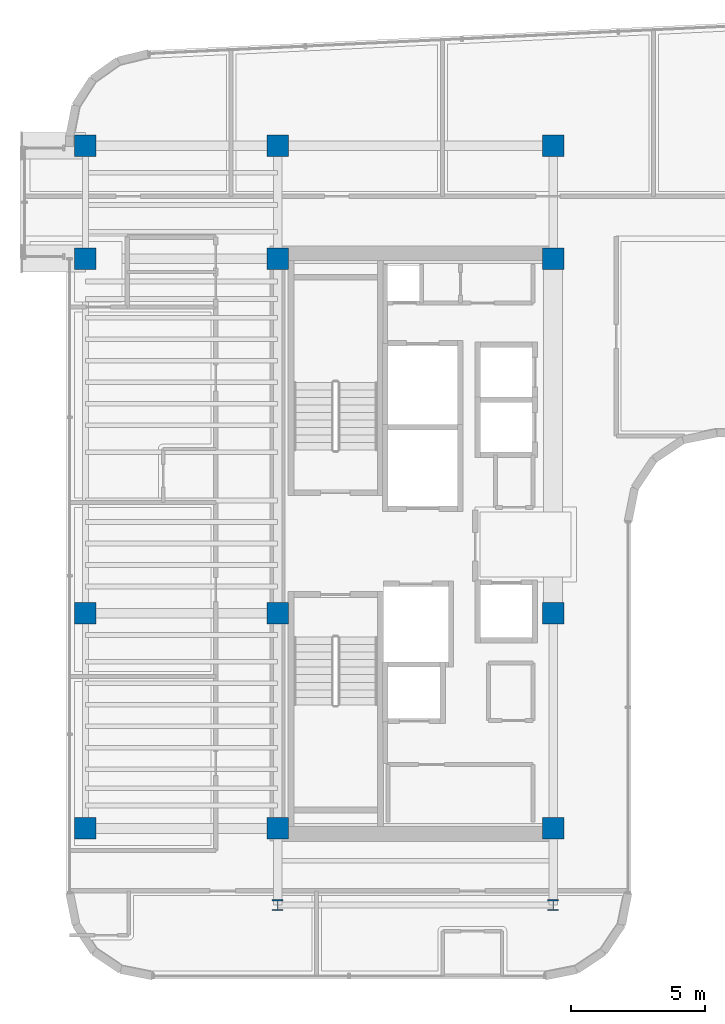
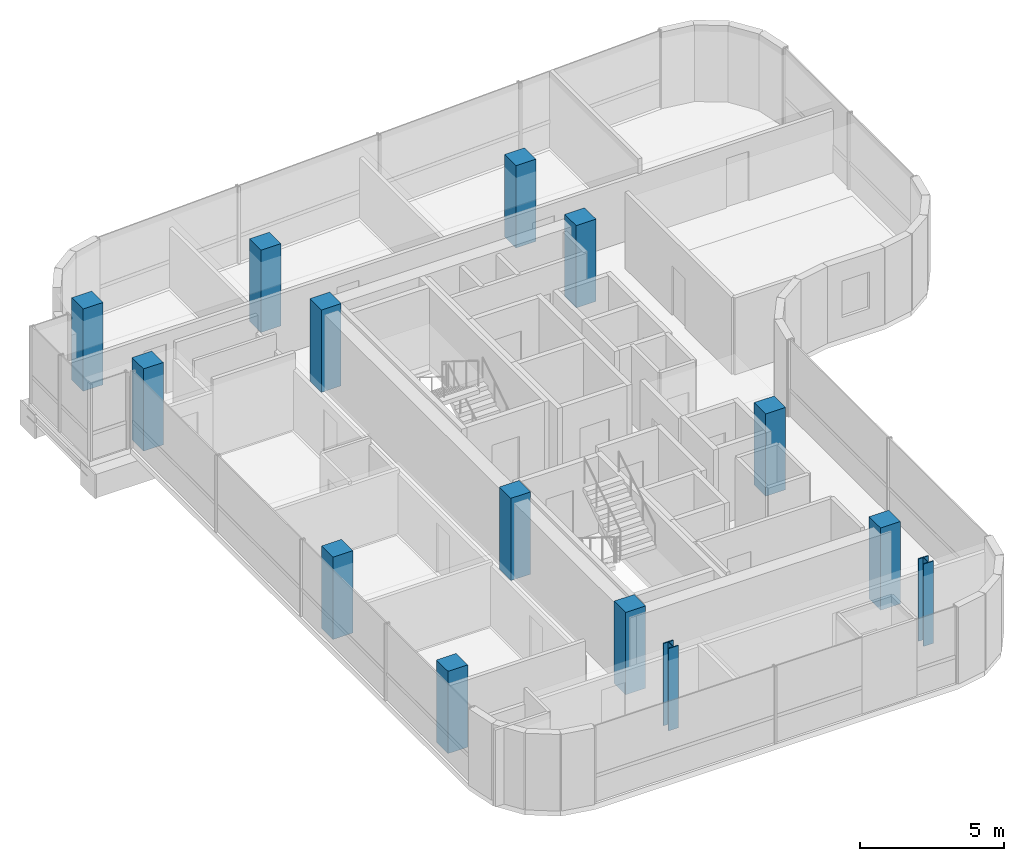
# One storey, part 1 of 21: 14 columns.
"""IFC4 building model written with IfcOpenShell, lengths in metres."""

from ifc_helpers import new_model, si_unit, direction, frame, origin, origin_2d, place, context, subcontext, project, spatial, rectangle, i_section, extrude, source, transform, mapped, material, material_profile, profile_set, type_object, element, save


model = new_model("IFC4")

# Units and contexts
model_context = context("Model", 3, precision=1e-05, world=origin(), true_north=direction((0.0, 1.0)))
body_context = subcontext(model_context, "Body", "Model", "MODEL_VIEW")
ifc_project = project(units=[si_unit("LENGTHUNIT", "METRE"), si_unit("AREAUNIT", "SQUARE_METRE"), si_unit("VOLUMEUNIT", "CUBIC_METRE"), si_unit("PLANEANGLEUNIT", "RADIAN"), si_unit("MASSUNIT", "GRAM", prefix="KILO")], contexts=[model_context])

# Site, building, storey
site_placement = place(None, origin())
site = spatial("IfcSite", under=ifc_project, at=site_placement, CompositionType="ELEMENT")
building_placement = place(site_placement, origin())
building = spatial("IfcBuilding", under=site, at=building_placement, Name="Valdorenza Pilgrim Sanctuary Tower", CompositionType="ELEMENT")
storey_placement = place(building_placement, frame((0.0, 0.0, 254.5)))
storey = spatial("IfcBuildingStorey", under=building, at=storey_placement, Name="L66", CompositionType="ELEMENT", Elevation=254.5)

# Columns
ifc_material_1 = material(Name="Concrete C50/60", Category="concrete")
ifc_material_profile_1 = material_profile(ifc_material_1, rectangle(XDim=0.800048828125, YDim=0.800048828125, at=origin_2d()), Name="RC 800x800")
ifc_profile_set_1 = profile_set([ifc_material_profile_1], Name="Concrete C50/60")
column_type_1 = type_object("IfcColumnType", Name="COL-Z4B-800", PredefinedType="COLUMN", material=ifc_profile_set_1)
shared_shape_1 = source(origin(), body_context, "Body", "SweptSolid", [
    extrude(rectangle(XDim=0.800048828125, YDim=0.800048828125, at=origin_2d()), origin(), (0.0, 0.0, 1.0), 3.5),
])
for number, where, z_axis, x_axis, name in (
    (1, (-29.800048828125, -10.60009765625, 0.0), (0.0, 0.0, 1.0), (1.0, 0.0, 0.0), "L66 Perimeter Column WA-W-S1"),
    (2, (-22.64990234375, -10.60009765625, 0.0), (0.0, 0.0, 1.0), (1.0, 0.0, 0.0), "L66 Column CA-W-S1"),
    (3, (-12.39990234375, -10.60009765625, 0.0), (0.0, 0.0, 1.0), (1.0, 0.0, 0.0), "L66 Column CA-E-S1"),
    (4, (-29.800048828125, -2.60009765625, 0.0), (0.0, 0.0, 1.0), (1.0, 0.0, 0.0), "L66 Perimeter Column WA-W-M0"),
    (5, (-22.64990234375, -2.60009765625, 0.0), (0.0, 0.0, 1.0), (1.0, 0.0, 0.0), "L66 Column CA-W-M0"),
    (6, (-12.39990234375, -2.60009765625, 0.0), (0.0, 0.0, 1.0), (1.0, 0.0, 0.0), "L66 Column CA-E-M0"),
    (7, (-29.800048828125, 10.60009765625, 0.0), (0.0, 0.0, 1.0), (1.0, 0.0, 0.0), "L66 Perimeter Column WA-W-N1"),
    (8, (-22.64990234375, 10.60009765625, 0.0), (0.0, 0.0, 1.0), (1.0, 0.0, 0.0), "L66 Column CA-W-N1"),
    (9, (-12.39990234375, 10.60009765625, 0.0), (0.0, 0.0, 1.0), (1.0, 0.0, 0.0), "L66 Column CA-E-N1"),
    (10, (-29.800048828125, 14.800048828125, 0.0), (0.0, 0.0, 1.0), (1.0, 0.0, 0.0), "L66 Perimeter Column WA-W-N2"),
    (11, (-22.64990234375, 14.800048828125, 0.0), (0.0, 0.0, 1.0), (1.0, 0.0, 0.0), "L66 Column CA-W-N2"),
    (12, (-12.39990234375, 14.800048828125, 0.0), (0.0, 0.0, 1.0), (1.0, 0.0, 0.0), "L66 Column CA-E-N2"),
):
    element("IfcColumn", number, at=place(storey_placement, frame(where, z_axis=z_axis, x_axis=x_axis)), inside=storey, type_object=column_type_1, Name=name, PredefinedType="COLUMN", context=body_context, shape_type="MappedRepresentation", body=[
        mapped(shared_shape_1, transform((0.0, 0.0, 0.0), x_axis=(1.0, 0.0, 0.0), y_axis=(0.0, 1.0, 0.0), z_axis=(0.0, 0.0, 1.0), scale=1.0)),
    ])
ifc_material_2 = material(Name="Steel ASTM A992 Grade 50", Category="steel")
ifc_material_profile_2 = material_profile(ifc_material_2, i_section(OverallWidth=0.40087890625, OverallDepth=0.39892578125, WebThickness=0.02490234375, FlangeThickness=0.03955078125, at=origin_2d()), Name="W14X211")
ifc_profile_set_2 = profile_set([ifc_material_profile_2], Name="Steel ASTM A992 Grade 50")
column_type_2 = type_object("IfcColumnType", Name="COL-STL-W211", PredefinedType="COLUMN", material=ifc_profile_set_2)
shared_shape_2 = source(origin(), body_context, "Body", "SweptSolid", [
    extrude(i_section(OverallWidth=0.40087890625, OverallDepth=0.39892578125, WebThickness=0.02490234375, FlangeThickness=0.03955078125, at=origin_2d()), origin(), (0.0, 0.0, 1.0), 3.5),
])
for number, where, z_axis, x_axis, name in (
    (13, (-22.64990234375, -13.449951171875, 0.0), (0.0, 0.0, 1.0), (1.0, 0.0, 0.0), "L66 Column WA-S-W"),
    (14, (-12.39990234375, -13.449951171875, 0.0), (0.0, 0.0, 1.0), (1.0, 0.0, 0.0), "L66 Column WA-S-E"),
):
    element("IfcColumn", number, at=place(storey_placement, frame(where, z_axis=z_axis, x_axis=x_axis)), inside=storey, type_object=column_type_2, Name=name, PredefinedType="COLUMN", context=body_context, shape_type="MappedRepresentation", body=[
        mapped(shared_shape_2, transform((0.0, 0.0, 0.0), x_axis=(1.0, 0.0, 0.0), y_axis=(0.0, 1.0, 0.0), z_axis=(0.0, 0.0, 1.0), scale=1.0)),
    ])

save(model, "model.ifc")
